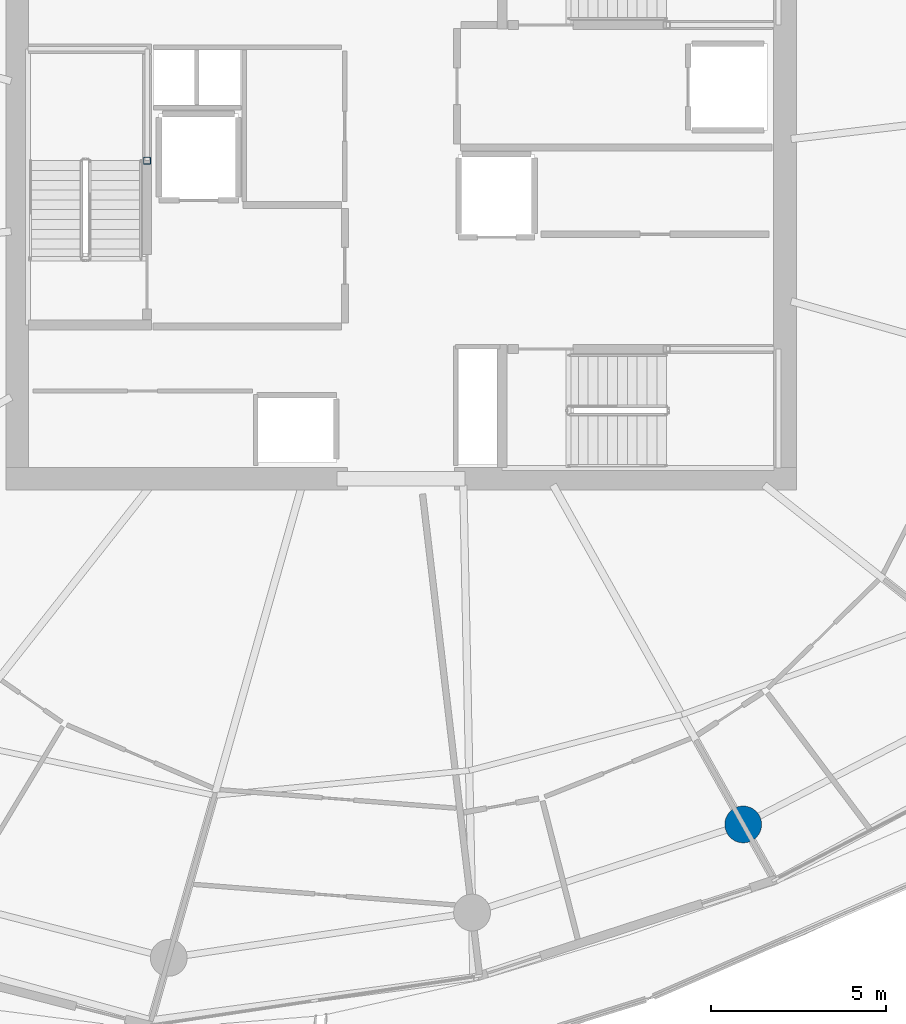
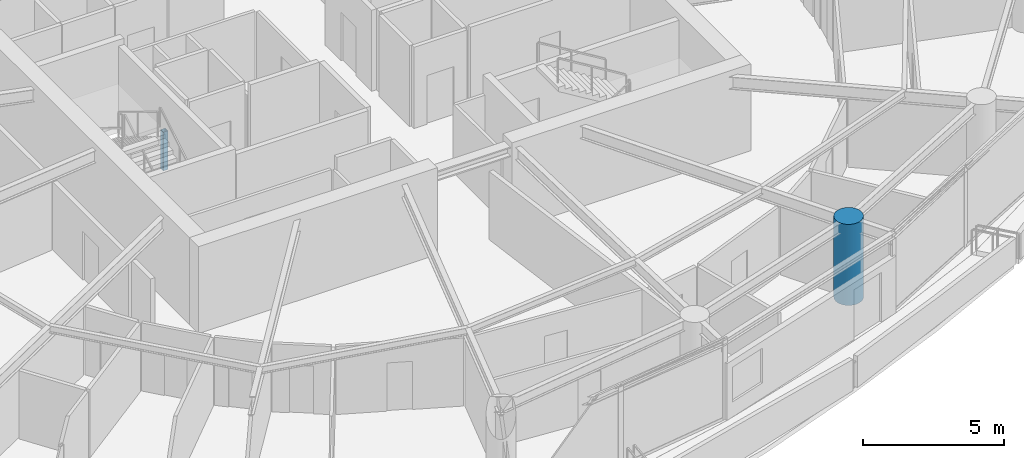
# One storey, part 2 of 20: 2 columns.
"""IFC4 building model written with IfcOpenShell, lengths in metres."""

from ifc_helpers import new_model, si_unit, direction, frame, origin, origin_2d, place, context, subcontext, project, spatial, hollow_rectangle, circle, extrude, material, material_profile, profile_set, type_object, element, save


model = new_model("IFC4")

# Units and contexts
model_context = context("Model", 3, precision=1e-05, world=origin(), true_north=direction((0.0, 1.0)))
body_context = subcontext(model_context, "Body", "Model", "MODEL_VIEW")
ifc_project = project(units=[si_unit("LENGTHUNIT", "METRE"), si_unit("AREAUNIT", "SQUARE_METRE"), si_unit("VOLUMEUNIT", "CUBIC_METRE"), si_unit("PLANEANGLEUNIT", "RADIAN"), si_unit("MASSUNIT", "GRAM", prefix="KILO")], contexts=[model_context])

# Site, building, storey
site_placement = place(None, origin())
site = spatial("IfcSite", under=ifc_project, at=site_placement, CompositionType="ELEMENT")
building_placement = place(site_placement, origin())
building = spatial("IfcBuilding", under=site, at=building_placement, Name="Kazma Halo Residences", CompositionType="ELEMENT")
storey_placement = place(building_placement, frame((0.0, 0.0, 206.550048828125)))
storey = spatial("IfcBuildingStorey", under=building, at=storey_placement, Name="L52", CompositionType="ELEMENT", Elevation=206.550048828125)

# Columns
ifc_material_1 = material(Name="Steel S355", Category="steel")
ifc_material_profile_1 = material_profile(ifc_material_1, hollow_rectangle(XDim=0.199951171875, YDim=0.199951171875, WallThickness=0.010009765625, InnerFilletRadius=0.010009765625, OuterFilletRadius=0.02001953125, at=origin_2d()), Name="SHS200x200x10")
ifc_profile_set_1 = profile_set([ifc_material_profile_1], Name="Steel S355")
column_type_1 = type_object("IfcColumnType", Name="COL-LP-SHS200", PredefinedType="COLUMN", material=ifc_profile_set_1)
column_1_placement = place(storey_placement, frame((41.179931640625, 42.75, 0.0), z_axis=(0.0, 0.0, 1.0), x_axis=(1.0, 0.0, 0.0)))
element("IfcColumn", 1, at=column_1_placement, inside=storey, type_object=column_type_1, Name="L52 ST-01 landing pilaster 1", PredefinedType="COLUMN", context=body_context, shape_type="SweptSolid", body=[
    extrude(hollow_rectangle(XDim=0.199951171875, YDim=0.199951171875, WallThickness=0.010009765625, InnerFilletRadius=0.010009765625, OuterFilletRadius=0.02001953125, at=origin_2d()), origin(), (0.0, 0.0, 1.0), 1.669921875),
])
ifc_material_2 = material(Name="Concrete C80/95", Category="concrete")
ifc_material_profile_2 = material_profile(ifc_material_2, circle(Radius=0.52490234375, at=origin_2d()), Name="CIRC1050")
ifc_profile_set_2 = profile_set([ifc_material_profile_2], Name="Concrete C80/95")
column_type_2 = type_object("IfcColumnType", Name="COL-PERIM-1050", PredefinedType="COLUMN", material=ifc_profile_set_2)
column_2_placement = place(storey_placement, frame((58.184814453125, 23.813720703125, 0.0), z_axis=(0.0, 0.0, 1.0), x_axis=(1.0, 0.0, 0.0)))
element("IfcColumn", 2, at=column_2_placement, inside=storey, type_object=column_type_2, Name="L52 perimeter ring column P13", PredefinedType="COLUMN", context=body_context, shape_type="SweptSolid", body=[
    extrude(circle(Radius=0.52490234375, at=origin_2d()), origin(), (0.0, 0.0, 1.0), 3.5),
])

save(model, "model.ifc")
